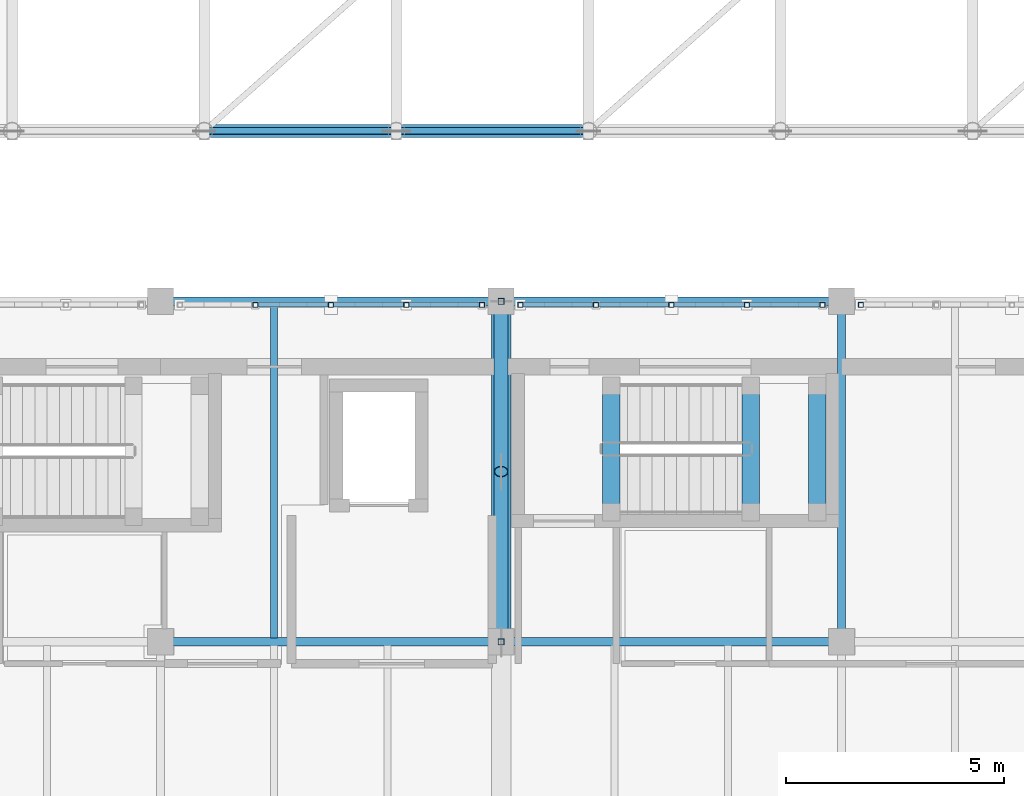
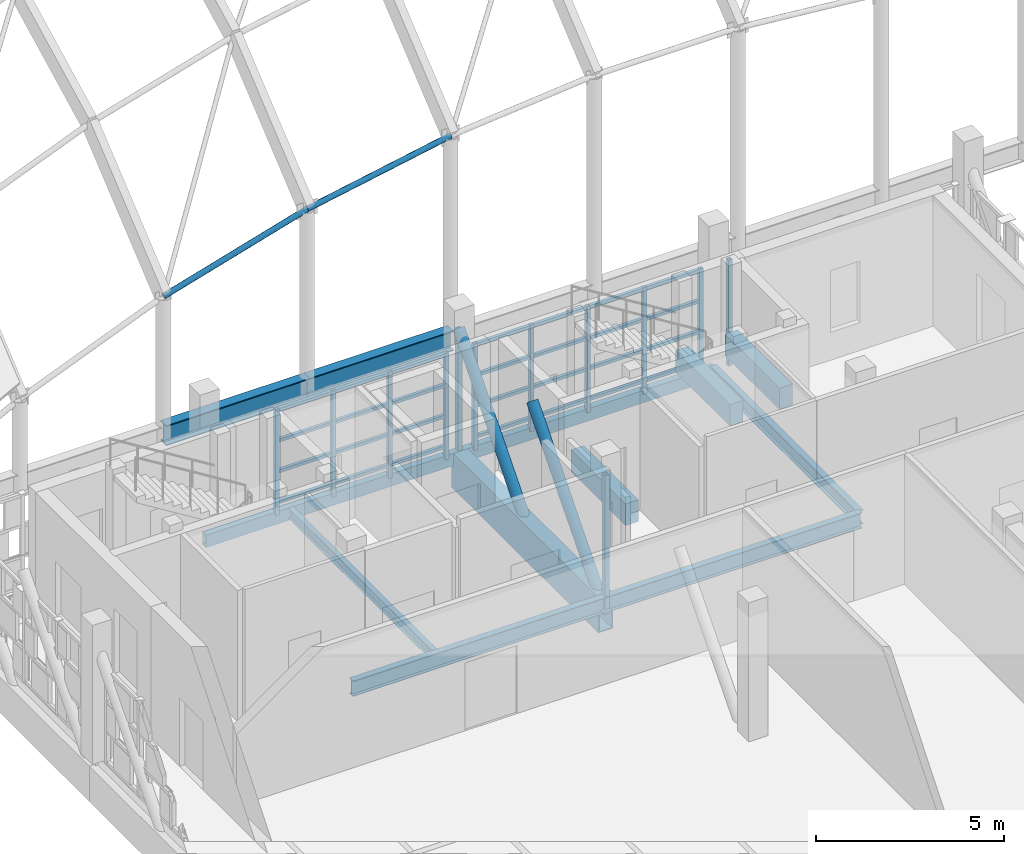
# One storey, part 43 of 119: 44 members, 12 beams.
"""IFC4 building model written with IfcOpenShell, lengths in metres."""

from ifc_helpers import new_model, si_unit, direction, frame, origin, origin_2d, place, context, subcontext, project, spatial, rectangle, hollow_rectangle, hollow_circle, i_section, extrude, material, material_profile, profile_set, type_object, element, save


model = new_model("IFC4")

# Units and contexts
model_context = context("Model", 3, precision=1e-05, world=origin(), true_north=direction((0.0, 1.0)))
body_context = subcontext(model_context, "Body", "Model", "MODEL_VIEW")
ifc_project = project(units=[si_unit("LENGTHUNIT", "METRE"), si_unit("AREAUNIT", "SQUARE_METRE"), si_unit("VOLUMEUNIT", "CUBIC_METRE"), si_unit("PLANEANGLEUNIT", "RADIAN"), si_unit("MASSUNIT", "GRAM", prefix="KILO")], contexts=[model_context])

# Site, building, storey
site_placement = place(None, origin())
site = spatial("IfcSite", under=ifc_project, at=site_placement, CompositionType="ELEMENT")
building_placement = place(site_placement, origin())
building = spatial("IfcBuilding", under=site, at=building_placement, Name="Celorna Specialist Clinic", CompositionType="ELEMENT")
storey_placement = place(building_placement, frame((0.0, 0.0, 9.60009765625)))
storey = spatial("IfcBuildingStorey", under=building, at=storey_placement, Name="L02", CompositionType="ELEMENT", Elevation=9.60009765625)

# Beams
ifc_material_1 = material(Name="Steel S355", Category="steel")
ifc_material_profile_1 = material_profile(ifc_material_1, hollow_rectangle(XDim=0.449951171875, YDim=1.14990234375, WallThickness=0.031982421875, at=origin_2d()), Name="BOX 450x1150x32")
ifc_profile_set_1 = profile_set([ifc_material_profile_1], Name="Steel S355")
beam_type_1 = type_object("IfcBeamType", Name="BM-01", PredefinedType="BEAM", material=ifc_profile_set_1)
beam_1_placement = place(storey_placement, frame((70.199951171875, 35.10009765625, -0.835205078125), z_axis=(0.0, 1.0, 0.0), x_axis=(-1.0, 0.0, 0.0)))
element("IfcBeam", 1, at=beam_1_placement, inside=storey, type_object=beam_type_1, Name="Cantilever Pratt truss chord WP-037-WP-038", PredefinedType="BEAM", context=body_context, shape_type="SweptSolid", body=[
    extrude(hollow_rectangle(XDim=0.449951171875, YDim=1.14990234375, WallThickness=0.031982421875, at=origin_2d()), origin(), (0.0, 0.0, 1.0), 7.7998046875),
])
ifc_material_profile_2 = material_profile(ifc_material_1, i_section(OverallWidth=0.300048828125, OverallDepth=0.64990234375, WebThickness=0.01611328125, FlangeThickness=0.031005859375, at=origin_2d()), Name="HE 650 B")
ifc_profile_set_2 = profile_set([ifc_material_profile_2], Name="Steel S355")
beam_type_2 = type_object("IfcBeamType", Name="BM-03", PredefinedType="BEAM", material=ifc_profile_set_2)
beam_2_placement = place(storey_placement, frame((63.39990234375, 46.800048828125, 0.27490234375), z_axis=(1.0, 0.0, 0.0), x_axis=(0.0, 1.0, 0.0)))
element("IfcBeam", 2, at=beam_2_placement, inside=storey, type_object=beam_type_2, Name="GSH-V1 gridshell perimeter edge ring beam", PredefinedType="BEAM", context=body_context, shape_type="SweptSolid", body=[
    extrude(i_section(OverallWidth=0.300048828125, OverallDepth=0.64990234375, WebThickness=0.01611328125, FlangeThickness=0.031005859375, at=origin_2d()), origin(), (0.0, 0.0, 1.0), 4.400146484375),
])
beam_3_placement = place(storey_placement, frame((67.800048828125, 46.800048828125, 0.27490234375), z_axis=(1.0, 0.0, 0.0), x_axis=(0.0, 1.0, 0.0)))
element("IfcBeam", 3, at=beam_3_placement, inside=storey, type_object=beam_type_2, Name="GSH-V1 gridshell perimeter edge ring beam", PredefinedType="BEAM", context=body_context, shape_type="SweptSolid", body=[
    extrude(i_section(OverallWidth=0.300048828125, OverallDepth=0.64990234375, WebThickness=0.01611328125, FlangeThickness=0.031005859375, at=origin_2d()), origin(), (0.0, 0.0, 1.0), 4.39990234375),
])
ifc_material_profile_3 = material_profile(ifc_material_1, i_section(OverallWidth=0.199951171875, OverallDepth=0.5, WebThickness=0.01025390625, FlangeThickness=0.01611328125, at=origin_2d()), Name="IPE 500")
ifc_profile_set_3 = profile_set([ifc_material_profile_3], Name="Steel S355")
beam_type_3 = type_object("IfcBeamType", Name="BM-08", PredefinedType="BEAM", material=ifc_profile_set_3)
for number, where, z_axis, x_axis, name in (
    (4, (62.39990234375, 35.10009765625, -0.510009765625), (1.0, 0.0, 0.0), (0.0, 1.0, 0.0), "Primary girder BM-08 #2118"),
    (5, (70.199951171875, 35.10009765625, -0.510009765625), (1.0, 0.0, 0.0), (0.0, 1.0, 0.0), "Primary girder BM-08 #2119"),
):
    element("IfcBeam", number, at=place(storey_placement, frame(where, z_axis=z_axis, x_axis=x_axis)), inside=storey, type_object=beam_type_3, Name=name, PredefinedType="BEAM", context=body_context, shape_type="SweptSolid", body=[
        extrude(i_section(OverallWidth=0.199951171875, OverallDepth=0.5, WebThickness=0.01025390625, FlangeThickness=0.01611328125, at=origin_2d()), origin(), (0.0, 0.0, 1.0), 7.800048828125),
    ])
ifc_material_profile_4 = material_profile(ifc_material_1, i_section(OverallWidth=0.18994140625, OverallDepth=0.449951171875, WebThickness=0.009521484375, FlangeThickness=0.0146484375, at=origin_2d()), Name="IPE 450")
ifc_profile_set_4 = profile_set([ifc_material_profile_4], Name="Steel S355")
beam_type_4 = type_object("IfcBeamType", Name="BM-09", PredefinedType="BEAM", material=ifc_profile_set_4)
beam_4_placement = place(storey_placement, frame((78.0, 35.10009765625, -0.485107421875), z_axis=(0.0, 1.0, 0.0), x_axis=(-1.0, 0.0, 0.0)))
element("IfcBeam", 6, at=beam_4_placement, inside=storey, type_object=beam_type_4, Name="Transverse girder BM-09 #2131", PredefinedType="BEAM", context=body_context, shape_type="SweptSolid", body=[
    extrude(i_section(OverallWidth=0.18994140625, OverallDepth=0.449951171875, WebThickness=0.009521484375, FlangeThickness=0.0146484375, at=origin_2d()), origin(), (0.0, 0.0, 1.0), 7.7998046875),
])
ifc_material_profile_5 = material_profile(ifc_material_1, i_section(OverallWidth=0.159912109375, OverallDepth=0.330078125, WebThickness=0.007568359375, FlangeThickness=0.011474609375, at=origin_2d()), Name="IPE 330")
ifc_profile_set_5 = profile_set([ifc_material_profile_5], Name="Steel S355")
beam_type_5 = type_object("IfcBeamType", Name="BM-12", PredefinedType="JOIST", material=ifc_profile_set_5)
beam_5_placement = place(storey_placement, frame((65.0, 35.18798828125, -0.425048828125), z_axis=(0.0, 1.0, 0.0), x_axis=(-1.0, 0.0, 0.0)))
element("IfcBeam", 7, at=beam_5_placement, inside=storey, type_object=beam_type_5, Name="Secondary floor joist BM-12 #2145", PredefinedType="JOIST", context=body_context, shape_type="SweptSolid", body=[
    extrude(i_section(OverallWidth=0.159912109375, OverallDepth=0.330078125, WebThickness=0.007568359375, FlangeThickness=0.011474609375, at=origin_2d()), origin(), (0.0, 0.0, 1.0), 7.6240234375),
])
ifc_material_profile_6 = material_profile(ifc_material_1, hollow_rectangle(XDim=0.199951171875, YDim=0.39990234375, WallThickness=0.011962890625, at=origin_2d()), Name="RHS 200x400x12")
ifc_profile_set_6 = profile_set([ifc_material_profile_6], Name="Steel S355")
beam_type_6 = type_object("IfcBeamType", Name="BM-15", PredefinedType="SPANDREL", material=ifc_profile_set_6)
for number, where, z_axis, x_axis, name in (
    (8, (62.39990234375, 42.89990234375, -0.460205078125), (1.0, 0.0, 0.0), (0.0, 1.0, 0.0), "Spandrel beam BM-15 #2122"),
    (9, (70.199951171875, 42.89990234375, -0.460205078125), (1.0, 0.0, 0.0), (0.0, 1.0, 0.0), "Spandrel beam BM-15 #2123"),
):
    element("IfcBeam", number, at=place(storey_placement, frame(where, z_axis=z_axis, x_axis=x_axis)), inside=storey, type_object=beam_type_6, Name=name, PredefinedType="SPANDREL", context=body_context, shape_type="SweptSolid", body=[
        extrude(hollow_rectangle(XDim=0.199951171875, YDim=0.39990234375, WallThickness=0.011962890625, at=origin_2d()), origin(), (0.0, 0.0, 1.0), 7.800048828125),
    ])
ifc_material_2 = material(Name="Concrete C35/45", Category="concrete")
ifc_material_profile_7 = material_profile(ifc_material_2, rectangle(XDim=0.39990234375, YDim=0.699951171875, at=origin_2d()), Name="RC 400x700")
ifc_profile_set_7 = profile_set([ifc_material_profile_7], Name="Concrete C35/45")
beam_type_7 = type_object("IfcBeamType", Name="BM-19", PredefinedType="BEAM", material=ifc_profile_set_7)
for number, where, z_axis, x_axis, name in (
    (10, (72.719970703125, 38.070068359375, -0.275146484375), (0.0, 1.0, 0.0), (-1.0, 0.0, 0.0), "Stair ST-09 floor landing trimmer beam L02"),
    (11, (75.919921875, 38.070068359375, 1.824951171875), (0.0, 1.0, 0.0), (-1.0, 0.0, 0.0), "Stair ST-09 half-landing beam L02"),
    (12, (77.43994140625, 38.070068359375, 1.824951171875), (0.0, 1.0, 0.0), (-1.0, 0.0, 0.0), "Stair ST-09 half-landing beam L02"),
):
    element("IfcBeam", number, at=place(storey_placement, frame(where, z_axis=z_axis, x_axis=x_axis)), inside=storey, type_object=beam_type_7, Name=name, PredefinedType="BEAM", context=body_context, shape_type="SweptSolid", body=[
        extrude(rectangle(XDim=0.39990234375, YDim=0.699951171875, at=origin_2d()), origin(), (0.0, 0.0, 1.0), 2.89990234375),
    ])

# Members
ifc_material_profile_8 = material_profile(ifc_material_1, hollow_circle(Radius=0.084228515625, WallThickness=0.010009765625, at=origin_2d()), Name="CHS 168.3x10")
ifc_profile_set_8 = profile_set([ifc_material_profile_8], Name="Steel S355")
member_type_1 = type_object("IfcMemberType", Name="MB-03", PredefinedType="PURLIN", material=ifc_profile_set_8)
member_1_placement = place(storey_placement, frame((63.39990234375, 46.800048828125, 4.705322265625), z_axis=(0.959809509952, 0.0, 0.280652284162), x_axis=(0.0, 1.0, 0.0)))
element("IfcMember", 13, at=member_1_placement, inside=storey, type_object=member_type_1, Name="GSH-V1 gridshell edge arch chord WP-127-WP-128", PredefinedType="PURLIN", context=body_context, shape_type="SweptSolid", body=[
    extrude(hollow_circle(Radius=0.084228515625, WallThickness=0.010009765625, at=origin_2d()), origin(), (0.0, 0.0, 1.0), 4.58447265625),
])
member_2_placement = place(storey_placement, frame((67.800048828125, 46.800048828125, 5.991943359375), z_axis=(0.982336180889, 0.0, 0.187124631506), x_axis=(0.0, 1.0, 0.0)))
element("IfcMember", 14, at=member_2_placement, inside=storey, type_object=member_type_1, Name="GSH-V1 gridshell edge arch chord WP-128-WP-129", PredefinedType="PURLIN", context=body_context, shape_type="SweptSolid", body=[
    extrude(hollow_circle(Radius=0.084228515625, WallThickness=0.010009765625, at=origin_2d()), origin(), (0.0, 0.0, 1.0), 4.47900390625),
])
ifc_material_profile_9 = material_profile(ifc_material_1, hollow_circle(Radius=0.161865234375, WallThickness=0.01611328125, at=origin_2d()), Name="CHS 323.9x16")
ifc_profile_set_9 = profile_set([ifc_material_profile_9], Name="Steel S355")
member_type_2 = type_object("IfcMemberType", Name="MB-05", PredefinedType="BRACE", material=ifc_profile_set_9)
for number, where, z_axis, x_axis, name in (
    (15, (70.199951171875, 35.10009765625, -0.835205078125), (0.0, 0.654921173069, 0.755697199324), (-1.0, 0.0, 0.0), "Cantilever Pratt truss web diagonal WP-037-WP-057"),
    (16, (70.199951171875, 39.0, -0.835205078125), (0.0, 0.654921173069, 0.755697199324), (-1.0, 0.0, 0.0), "Cantilever Pratt truss web diagonal WP-058-WP-043"),
):
    element("IfcMember", number, at=place(storey_placement, frame(where, z_axis=z_axis, x_axis=x_axis)), inside=storey, type_object=member_type_2, Name=name, PredefinedType="BRACE", context=body_context, shape_type="SweptSolid", body=[
        extrude(hollow_circle(Radius=0.161865234375, WallThickness=0.01611328125, at=origin_2d()), origin(), (0.0, 0.0, 1.0), 5.954833984375),
    ])
ifc_material_profile_10 = material_profile(ifc_material_1, hollow_rectangle(XDim=0.139892578125, YDim=0.139892578125, WallThickness=0.008056640625, at=origin_2d()), Name="SHS 140x140x8")
ifc_profile_set_10 = profile_set([ifc_material_profile_10], Name="Steel S355")
member_type_3 = type_object("IfcMemberType", Name="MB-10", PredefinedType="CHORD", material=ifc_profile_set_10)
for number, where, z_axis, x_axis, name in (
    (17, (70.199951171875, 35.10009765625, -0.835205078125), (0.0, 0.0, 1.0), (1.0, 0.0, 0.0), "Cantilever Pratt truss vertical post WP-037-WP-042"),
    (18, (70.199951171875, 42.89990234375, -0.835205078125), (0.0, 0.0, 1.0), (1.0, 0.0, 0.0), "Cantilever Pratt truss vertical post WP-038-WP-043"),
):
    element("IfcMember", number, at=place(storey_placement, frame(where, z_axis=z_axis, x_axis=x_axis)), inside=storey, type_object=member_type_3, Name=name, PredefinedType="CHORD", context=body_context, shape_type="SweptSolid", body=[
        extrude(hollow_rectangle(XDim=0.139892578125, YDim=0.139892578125, WallThickness=0.008056640625, at=origin_2d()), origin(), (0.0, 0.0, 1.0), 4.5),
    ])
ifc_material_profile_11 = material_profile(ifc_material_1, hollow_rectangle(XDim=0.1201171875, YDim=0.1201171875, WallThickness=0.008056640625, at=origin_2d()), Name="SHS 120x120x8")
ifc_profile_set_11 = profile_set([ifc_material_profile_11], Name="Steel S355")
member_type_4 = type_object("IfcMemberType", Name="MB-11", PredefinedType="STUD", material=ifc_profile_set_11)
for number, where, z_axis, x_axis, name in (
    (19, (64.570068359375, 42.820068359375, -0.360107421875), (0.0, 0.0, 1.0), (1.0, 0.0, 0.0), "Perforated screen steel post #561"),
    (20, (66.300048828125, 42.820068359375, -0.360107421875), (0.0, 0.0, 1.0), (1.0, 0.0, 0.0), "Perforated screen steel post #562"),
    (21, (68.030029296875, 42.820068359375, -0.360107421875), (0.0, 0.0, 1.0), (1.0, 0.0, 0.0), "Perforated screen steel post #563"),
    (22, (69.760009765625, 42.820068359375, -0.360107421875), (0.0, 0.0, 1.0), (1.0, 0.0, 0.0), "Perforated screen steel post #564"),
    (23, (70.639892578125, 42.820068359375, -0.360107421875), (0.0, 0.0, 1.0), (1.0, 0.0, 0.0), "Perforated screen steel post #581"),
    (24, (72.3701171875, 42.820068359375, -0.360107421875), (0.0, 0.0, 1.0), (1.0, 0.0, 0.0), "Perforated screen steel post #582"),
    (25, (74.10009765625, 42.820068359375, -0.360107421875), (0.0, 0.0, 1.0), (1.0, 0.0, 0.0), "Perforated screen steel post #583"),
    (26, (75.830078125, 42.820068359375, -0.360107421875), (0.0, 0.0, 1.0), (1.0, 0.0, 0.0), "Perforated screen steel post #584"),
    (27, (77.56005859375, 42.820068359375, -0.360107421875), (0.0, 0.0, 1.0), (1.0, 0.0, 0.0), "Perforated screen steel post #585"),
    (28, (78.43994140625, 42.820068359375, -0.360107421875), (0.0, 0.0, 1.0), (1.0, 0.0, 0.0), "Perforated screen steel post #602"),
):
    element("IfcMember", number, at=place(storey_placement, frame(where, z_axis=z_axis, x_axis=x_axis)), inside=storey, type_object=member_type_4, Name=name, PredefinedType="STUD", context=body_context, shape_type="SweptSolid", body=[
        extrude(hollow_rectangle(XDim=0.1201171875, YDim=0.1201171875, WallThickness=0.008056640625, at=origin_2d()), origin(), (0.0, 0.0, 1.0), 3.43994140625),
    ])
ifc_material_profile_12 = material_profile(ifc_material_1, hollow_rectangle(XDim=0.10009765625, YDim=0.10009765625, WallThickness=0.006103515625, at=origin_2d()), Name="SHS 100x100x6")
ifc_profile_set_12 = profile_set([ifc_material_profile_12], Name="Steel S355")
member_type_5 = type_object("IfcMemberType", Name="MB-12", PredefinedType="STUD", material=ifc_profile_set_12)
for number, where, z_axis, x_axis, name in (
    (29, (64.6298828125, 42.820068359375, 0.0498046875), (1.0, 0.0, 0.0), (0.0, 1.0, 0.0), "Perforated screen rail #569"),
    (30, (64.6298828125, 42.820068359375, 1.043212890625), (1.0, 0.0, 0.0), (0.0, 1.0, 0.0), "Perforated screen rail #570"),
    (31, (64.6298828125, 42.820068359375, 2.03662109375), (1.0, 0.0, 0.0), (0.0, 1.0, 0.0), "Perforated screen rail #571"),
    (32, (64.6298828125, 42.820068359375, 3.02978515625), (1.0, 0.0, 0.0), (0.0, 1.0, 0.0), "Perforated screen rail #572"),
):
    element("IfcMember", number, at=place(storey_placement, frame(where, z_axis=z_axis, x_axis=x_axis)), inside=storey, type_object=member_type_5, Name=name, PredefinedType="STUD", context=body_context, shape_type="SweptSolid", body=[
        extrude(hollow_rectangle(XDim=0.10009765625, YDim=0.10009765625, WallThickness=0.006103515625, at=origin_2d()), origin(), (0.0, 0.0, 1.0), 1.610107421875),
    ])
for number, where, z_axis, x_axis, name in (
    (33, (66.360107421875, 42.820068359375, 0.0498046875), (1.0, 0.0, 0.0), (0.0, 1.0, 0.0), "Perforated screen rail #573"),
    (34, (66.360107421875, 42.820068359375, 1.043212890625), (1.0, 0.0, 0.0), (0.0, 1.0, 0.0), "Perforated screen rail #574"),
    (35, (66.360107421875, 42.820068359375, 2.03662109375), (1.0, 0.0, 0.0), (0.0, 1.0, 0.0), "Perforated screen rail #575"),
    (36, (66.360107421875, 42.820068359375, 3.02978515625), (1.0, 0.0, 0.0), (0.0, 1.0, 0.0), "Perforated screen rail #576"),
    (37, (68.090087890625, 42.820068359375, 0.0498046875), (1.0, 0.0, 0.0), (0.0, 1.0, 0.0), "Perforated screen rail #577"),
    (38, (68.090087890625, 42.820068359375, 1.043212890625), (1.0, 0.0, 0.0), (0.0, 1.0, 0.0), "Perforated screen rail #578"),
    (39, (68.090087890625, 42.820068359375, 2.03662109375), (1.0, 0.0, 0.0), (0.0, 1.0, 0.0), "Perforated screen rail #579"),
    (40, (68.090087890625, 42.820068359375, 3.02978515625), (1.0, 0.0, 0.0), (0.0, 1.0, 0.0), "Perforated screen rail #580"),
):
    element("IfcMember", number, at=place(storey_placement, frame(where, z_axis=z_axis, x_axis=x_axis)), inside=storey, type_object=member_type_5, Name=name, PredefinedType="STUD", context=body_context, shape_type="SweptSolid", body=[
        extrude(hollow_rectangle(XDim=0.10009765625, YDim=0.10009765625, WallThickness=0.006103515625, at=origin_2d()), origin(), (0.0, 0.0, 1.0), 1.60986328125),
    ])
for number, where, z_axis, x_axis, name in (
    (41, (70.699951171875, 42.820068359375, 0.0498046875), (1.0, 0.0, 0.0), (0.0, 1.0, 0.0), "Perforated screen rail #586"),
    (42, (70.699951171875, 42.820068359375, 1.043212890625), (1.0, 0.0, 0.0), (0.0, 1.0, 0.0), "Perforated screen rail #587"),
    (43, (70.699951171875, 42.820068359375, 2.03662109375), (1.0, 0.0, 0.0), (0.0, 1.0, 0.0), "Perforated screen rail #588"),
    (44, (70.699951171875, 42.820068359375, 3.02978515625), (1.0, 0.0, 0.0), (0.0, 1.0, 0.0), "Perforated screen rail #589"),
    (45, (72.429931640625, 42.820068359375, 0.0498046875), (1.0, 0.0, 0.0), (0.0, 1.0, 0.0), "Perforated screen rail #590"),
    (46, (72.429931640625, 42.820068359375, 1.043212890625), (1.0, 0.0, 0.0), (0.0, 1.0, 0.0), "Perforated screen rail #591"),
    (47, (72.429931640625, 42.820068359375, 2.03662109375), (1.0, 0.0, 0.0), (0.0, 1.0, 0.0), "Perforated screen rail #592"),
    (48, (72.429931640625, 42.820068359375, 3.02978515625), (1.0, 0.0, 0.0), (0.0, 1.0, 0.0), "Perforated screen rail #593"),
    (49, (74.159912109375, 42.820068359375, 0.0498046875), (1.0, 0.0, 0.0), (0.0, 1.0, 0.0), "Perforated screen rail #594"),
    (50, (74.159912109375, 42.820068359375, 1.043212890625), (1.0, 0.0, 0.0), (0.0, 1.0, 0.0), "Perforated screen rail #595"),
    (51, (74.159912109375, 42.820068359375, 2.03662109375), (1.0, 0.0, 0.0), (0.0, 1.0, 0.0), "Perforated screen rail #596"),
    (52, (74.159912109375, 42.820068359375, 3.02978515625), (1.0, 0.0, 0.0), (0.0, 1.0, 0.0), "Perforated screen rail #597"),
    (53, (75.889892578125, 42.820068359375, 0.0498046875), (1.0, 0.0, 0.0), (0.0, 1.0, 0.0), "Perforated screen rail #598"),
    (54, (75.889892578125, 42.820068359375, 1.043212890625), (1.0, 0.0, 0.0), (0.0, 1.0, 0.0), "Perforated screen rail #599"),
    (55, (75.889892578125, 42.820068359375, 2.03662109375), (1.0, 0.0, 0.0), (0.0, 1.0, 0.0), "Perforated screen rail #600"),
    (56, (75.889892578125, 42.820068359375, 3.02978515625), (1.0, 0.0, 0.0), (0.0, 1.0, 0.0), "Perforated screen rail #601"),
):
    element("IfcMember", number, at=place(storey_placement, frame(where, z_axis=z_axis, x_axis=x_axis)), inside=storey, type_object=member_type_5, Name=name, PredefinedType="STUD", context=body_context, shape_type="SweptSolid", body=[
        extrude(hollow_rectangle(XDim=0.10009765625, YDim=0.10009765625, WallThickness=0.006103515625, at=origin_2d()), origin(), (0.0, 0.0, 1.0), 1.610107421875),
    ])

save(model, "model.ifc")
